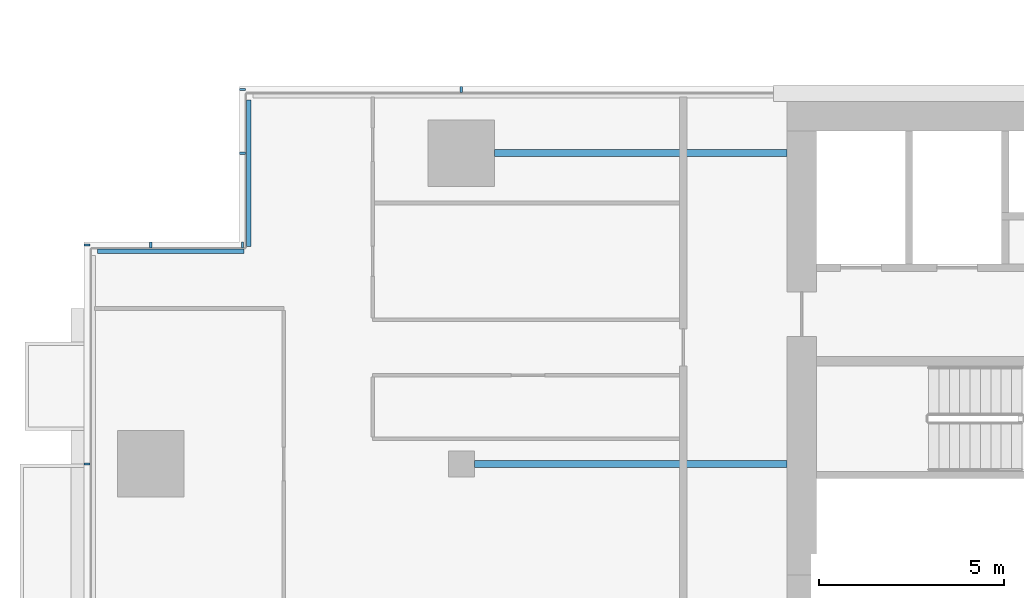
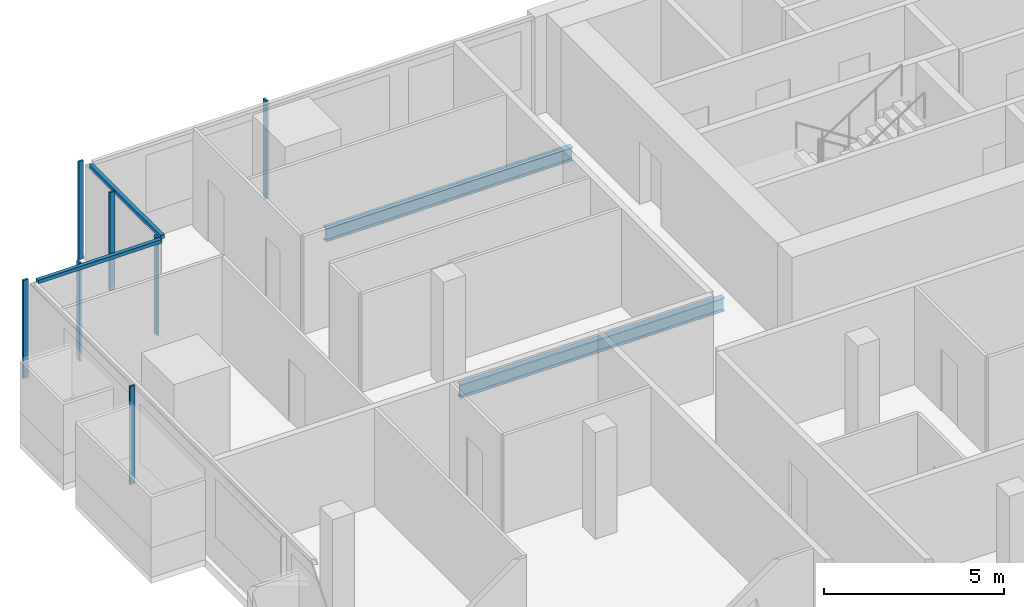
# One storey, part 8 of 31: 9 members, 2 beams, 4 elements without a shape of their own.
"""IFC4 building model written with IfcOpenShell, lengths in metres."""

from ifc_helpers import new_model, si_unit, direction, frame, origin, origin_2d, place, context, subcontext, project, spatial, rectangle, i_section, extrude, material, material_profile, profile_set, type_object, element, aggregate, save


model = new_model("IFC4")

# Units and contexts
model_context = context("Model", 3, precision=1e-05, world=origin(), true_north=direction((0.0, 1.0)))
body_context = subcontext(model_context, "Body", "Model", "MODEL_VIEW")
ifc_project = project(units=[si_unit("LENGTHUNIT", "METRE"), si_unit("AREAUNIT", "SQUARE_METRE"), si_unit("VOLUMEUNIT", "CUBIC_METRE"), si_unit("PLANEANGLEUNIT", "RADIAN"), si_unit("MASSUNIT", "GRAM", prefix="KILO")], contexts=[model_context])

# Site, building, storey
site_placement = place(None, origin())
site = spatial("IfcSite", under=ifc_project, at=site_placement, CompositionType="ELEMENT")
building_placement = place(site_placement, origin())
building = spatial("IfcBuilding", under=site, at=building_placement, Name="Saffron Gate Tower", CompositionType="ELEMENT")
storey_placement = place(building_placement, frame((0.0, 0.0, 147.449951171875)))
storey = spatial("IfcBuildingStorey", under=building, at=storey_placement, Name="L35", CompositionType="ELEMENT", Elevation=147.449951171875)

# Beams
ifc_material_1 = material(Name="Structural steel S355", Category="steel")
ifc_material_profile_1 = material_profile(ifc_material_1, i_section(OverallWidth=0.18994140625, OverallDepth=0.449951171875, WebThickness=0.009521484375, FlangeThickness=0.0146484375, FilletRadius=0.02099609375, at=origin_2d()))
ifc_profile_set_1 = profile_set([ifc_material_profile_1], Name="Structural steel S355")
beam_type = type_object("IfcBeamType", Name="B6 IPE 450", PredefinedType="BEAM", material=ifc_profile_set_1)
beam_1_placement = place(storey_placement, frame((58.550048828125, 65.39990234375, -0.5048828125), z_axis=(1.0, 0.0, 0.0), x_axis=(0.0, 1.0, 0.0)))
element("IfcBeam", 1, at=beam_1_placement, inside=storey, type_object=beam_type, Name="B6 CORE TIE BEAM", PredefinedType="BEAM", context=body_context, shape_type="SweptSolid", body=[
    extrude(i_section(OverallWidth=0.18994140625, OverallDepth=0.449951171875, WebThickness=0.009521484375, FlangeThickness=0.0146484375, FilletRadius=0.02099609375, at=origin_2d()), origin(), (0.0, 0.0, 1.0), 8.449951171875),
])
beam_2_placement = place(storey_placement, frame((59.10009765625, 73.800048828125, -0.5048828125), z_axis=(1.0, 0.0, 0.0), x_axis=(0.0, 1.0, 0.0)))
element("IfcBeam", 2, at=beam_2_placement, inside=storey, type_object=beam_type, Name="B6 CORE TIE BEAM", PredefinedType="BEAM", context=body_context, shape_type="SweptSolid", body=[
    extrude(i_section(OverallWidth=0.18994140625, OverallDepth=0.449951171875, WebThickness=0.009521484375, FlangeThickness=0.0146484375, FilletRadius=0.02099609375, at=origin_2d()), origin(), (0.0, 0.0, 1.0), 7.89990234375),
])

# Curtain wall, members
ifc_material_2 = material(Name="Aluminium, bronze anodised", Category="aluminium")
curtain_wall_type_1 = type_object("IfcCurtainWallType", Name="CWS2 curtain wall side facades", PredefinedType="NOTDEFINED", material=ifc_material_2)
curtain_wall_1_placement = place(storey_placement, origin())
curtain_wall_1 = element("IfcCurtainWall", 3, at=curtain_wall_1_placement, inside=storey, type_object=curtain_wall_type_1, Name="CWS2 run 10", PredefinedType="NOTDEFINED")
ifc_material_profile_2 = material_profile(ifc_material_2, rectangle(XDim=0.159912109375, YDim=0.06005859375, at=origin_2d()))
ifc_profile_set_2 = profile_set([ifc_material_profile_2], Name="Aluminium, bronze anodised")
member_type_1 = type_object("IfcMemberType", Name="CWS2 mullion 60x160", PredefinedType="MULLION", material=ifc_profile_set_2)
member_1_placement = place(storey_placement, frame((48.080078125, 71.320068359375, 0.0), z_axis=(0.0, 0.0, 1.0), x_axis=(1.0, 0.0, 0.0)))
member_1 = element("IfcMember", 4, at=member_1_placement, type_object=member_type_1, Name="CWS2 mullion 1", PredefinedType="MULLION", context=body_context, shape_type="SweptSolid", body=[
    extrude(rectangle(XDim=0.159912109375, YDim=0.06005859375, at=origin_2d()), origin(), (0.0, 0.0, 1.0), 3.320068359375),
])
member_2_placement = place(storey_placement, frame((48.080078125, 65.39990234375, 0.0), z_axis=(0.0, 0.0, 1.0), x_axis=(1.0, 0.0, 0.0)))
member_2 = element("IfcMember", 5, at=member_2_placement, type_object=member_type_1, Name="CWS2 mullion 2", PredefinedType="MULLION", context=body_context, shape_type="SweptSolid", body=[
    extrude(rectangle(XDim=0.159912109375, YDim=0.06005859375, at=origin_2d()), origin(), (0.0, 0.0, 1.0), 3.320068359375),
])
aggregate(curtain_wall_1, [member_1, member_2])

# Curtain wall, member
curtain_wall_type_2 = type_object("IfcCurtainWallType", Name="CWS3 curtain wall rear facade", PredefinedType="NOTDEFINED", material=ifc_material_2)
curtain_wall_2_placement = place(storey_placement, origin())
curtain_wall_2 = element("IfcCurtainWall", 6, at=curtain_wall_2_placement, inside=storey, type_object=curtain_wall_type_2, Name="CWS3 run 7", PredefinedType="NOTDEFINED")
ifc_material_profile_3 = material_profile(ifc_material_2, rectangle(XDim=0.159912109375, YDim=0.070068359375, at=origin_2d()))
ifc_profile_set_3 = profile_set([ifc_material_profile_3], Name="Aluminium, bronze anodised")
member_type_2 = type_object("IfcMemberType", Name="CWS3 mullion 70x160", PredefinedType="MULLION", material=ifc_profile_set_3)
member_3_placement = place(storey_placement, frame((58.199951171875, 75.52001953125, 0.0), z_axis=(0.0, 0.0, 1.0), x_axis=(0.0, -1.0, 0.0)))
member_3 = element("IfcMember", 7, at=member_3_placement, type_object=member_type_2, Name="CWS3 mullion 9", PredefinedType="MULLION", context=body_context, shape_type="SweptSolid", body=[
    extrude(rectangle(XDim=0.159912109375, YDim=0.070068359375, at=origin_2d()), origin(), (0.0, 0.0, 1.0), 3.320068359375),
])
aggregate(curtain_wall_2, [member_3])

curtain_wall_type_3 = type_object("IfcCurtainWallType", Name="CWS4 curtain wall corner returns", PredefinedType="NOTDEFINED", material=ifc_material_2)
curtain_wall_3_placement = place(storey_placement, origin())
curtain_wall_3 = element("IfcCurtainWall", 8, at=curtain_wall_3_placement, inside=storey, type_object=curtain_wall_type_3, Name="CWS4 run 8", PredefinedType="NOTDEFINED")
ifc_material_profile_4 = material_profile(ifc_material_2, rectangle(XDim=0.1201171875, YDim=0.1201171875, at=origin_2d()))
ifc_profile_set_4 = profile_set([ifc_material_profile_4], Name="Aluminium, bronze anodised")
member_type_3 = type_object("IfcMemberType", Name="CWS4 head transom", PredefinedType="USERDEFINED", material=ifc_profile_set_4)
member_4_placement = place(storey_placement, frame((52.447998046875, 75.23193359375, 3.260009765625), z_axis=(0.0, -1.0, 0.0), x_axis=(1.0, 0.0, 0.0)))
member_4 = element("IfcMember", 9, at=member_4_placement, type_object=member_type_3, Name="CWS4 head transom", ObjectType="TRANSOM", PredefinedType="USERDEFINED", context=body_context, shape_type="SweptSolid", body=[
    extrude(rectangle(XDim=0.1201171875, YDim=0.1201171875, at=origin_2d()), origin(), (0.0, 0.0, 1.0), 3.9599609375),
])

curtain_wall_4_placement = place(storey_placement, origin())
curtain_wall_4 = element("IfcCurtainWall", 10, at=curtain_wall_4_placement, inside=storey, type_object=curtain_wall_type_3, Name="CWS4 run 9", PredefinedType="NOTDEFINED")
member_5_placement = place(storey_placement, frame((52.327880859375, 71.152099609375, 3.260009765625), z_axis=(-1.0, 0.0, 0.0), x_axis=(0.0, -1.0, 0.0)))
member_5 = element("IfcMember", 11, at=member_5_placement, type_object=member_type_3, Name="CWS4 head transom", ObjectType="TRANSOM", PredefinedType="USERDEFINED", context=body_context, shape_type="SweptSolid", body=[
    extrude(rectangle(XDim=0.1201171875, YDim=0.1201171875, at=origin_2d()), origin(), (0.0, 0.0, 1.0), 3.9599609375),
])

# Member
ifc_material_profile_5 = material_profile(ifc_material_2, rectangle(XDim=0.159912109375, YDim=0.06005859375, at=origin_2d()))
ifc_profile_set_5 = profile_set([ifc_material_profile_5], Name="Aluminium, bronze anodised")
member_type_4 = type_object("IfcMemberType", Name="CWS4 mullion 60x160", PredefinedType="MULLION", material=ifc_profile_set_5)
member_6_placement = place(storey_placement, frame((52.280029296875, 75.52001953125, 0.0), z_axis=(0.0, 0.0, 1.0), x_axis=(1.0, 0.0, 0.0)))
member_6 = element("IfcMember", 12, at=member_6_placement, type_object=member_type_4, Name="CWS4 mullion 1", PredefinedType="MULLION", context=body_context, shape_type="SweptSolid", body=[
    extrude(rectangle(XDim=0.159912109375, YDim=0.06005859375, at=origin_2d()), origin(), (0.0, 0.0, 1.0), 3.320068359375),
])

member_7_placement = place(storey_placement, frame((52.280029296875, 73.800048828125, 0.0), z_axis=(0.0, 0.0, 1.0), x_axis=(1.0, 0.0, 0.0)))
member_7 = element("IfcMember", 13, at=member_7_placement, type_object=member_type_4, Name="CWS4 mullion 2", PredefinedType="MULLION", context=body_context, shape_type="SweptSolid", body=[
    extrude(rectangle(XDim=0.159912109375, YDim=0.06005859375, at=origin_2d()), origin(), (0.0, 0.0, 1.0), 3.320068359375),
])

aggregate(curtain_wall_3, [member_6, member_7, member_4])

member_8_placement = place(storey_placement, frame((52.280029296875, 71.320068359375, 0.0), z_axis=(0.0, 0.0, 1.0), x_axis=(0.0, -1.0, 0.0)))
member_8 = element("IfcMember", 14, at=member_8_placement, type_object=member_type_4, Name="CWS4 mullion 1", PredefinedType="MULLION", context=body_context, shape_type="SweptSolid", body=[
    extrude(rectangle(XDim=0.159912109375, YDim=0.06005859375, at=origin_2d()), origin(), (0.0, 0.0, 1.0), 3.320068359375),
])

member_9_placement = place(storey_placement, frame((49.800048828125, 71.320068359375, 0.0), z_axis=(0.0, 0.0, 1.0), x_axis=(0.0, -1.0, 0.0)))
member_9 = element("IfcMember", 15, at=member_9_placement, type_object=member_type_4, Name="CWS4 mullion 2", PredefinedType="MULLION", context=body_context, shape_type="SweptSolid", body=[
    extrude(rectangle(XDim=0.159912109375, YDim=0.06005859375, at=origin_2d()), origin(), (0.0, 0.0, 1.0), 3.320068359375),
])

aggregate(curtain_wall_4, [member_8, member_9, member_5])

save(model, "model.ifc")
